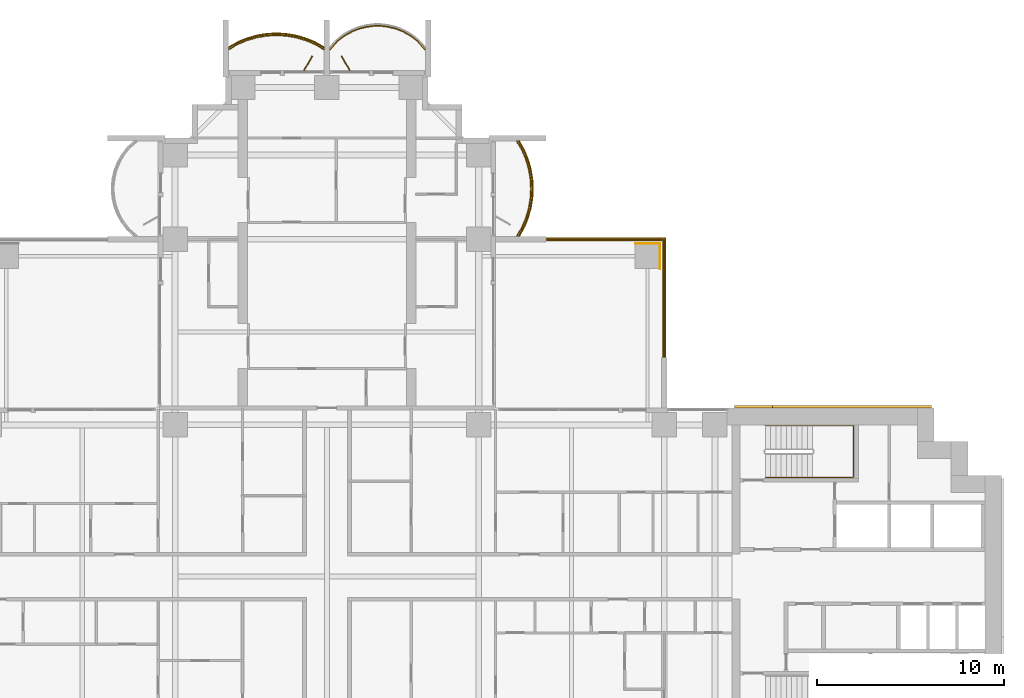
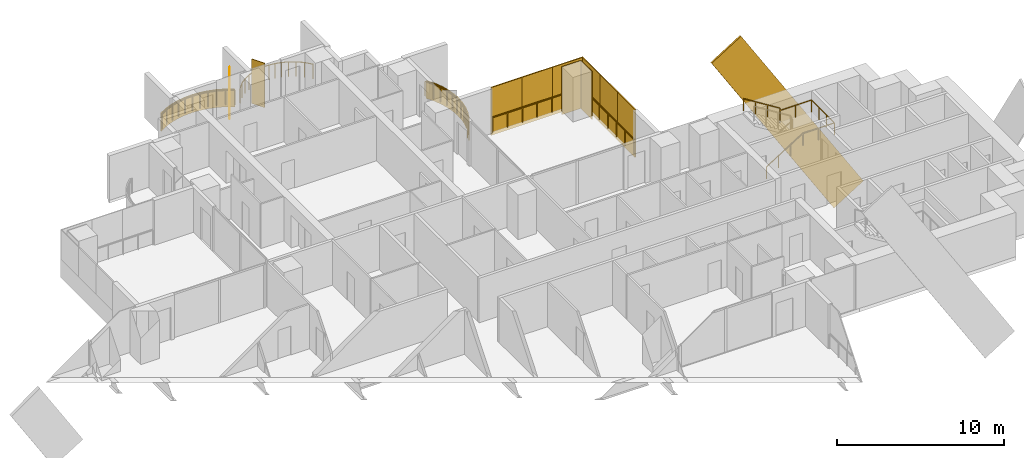
# One storey, part 22 of 23: 12 coverings, 5 railings, 2 shading devices.
"""IFC4 building model written with IfcOpenShell, lengths in metres."""

from ifc_helpers import new_model, si_unit, direction, frame, origin, origin_2d, place, context, subcontext, project, spatial, polyline, rectangle, outline, extrude, material, layer, layer_set, material_profile, profile_set, type_object, element, save


model = new_model("IFC4")

# Units and contexts
model_context = context("Model", 3, precision=1e-05, world=origin(), true_north=direction((0.0, 1.0)))
body_context = subcontext(model_context, "Body", "Model", "MODEL_VIEW")
ifc_project = project(units=[si_unit("LENGTHUNIT", "METRE"), si_unit("AREAUNIT", "SQUARE_METRE"), si_unit("VOLUMEUNIT", "CUBIC_METRE"), si_unit("PLANEANGLEUNIT", "RADIAN"), si_unit("MASSUNIT", "GRAM", prefix="KILO")], contexts=[model_context])

# Site, building, storey
site_placement = place(None, origin())
site = spatial("IfcSite", under=ifc_project, at=site_placement, CompositionType="ELEMENT")
building_placement = place(site_placement, origin())
building = spatial("IfcBuilding", under=site, at=building_placement, Name="Perihelion Cross Residences", CompositionType="ELEMENT")
storey_placement = place(building_placement, frame((0.0, 0.0, 61.0)))
storey = spatial("IfcBuildingStorey", under=building, at=storey_placement, Name="L12", CompositionType="ELEMENT", Elevation=61.0)

# Coverings
ifc_material_1 = material(Name="Bronze anodised aluminium", Category="aluminium")
ifc_layer_1 = layer(ifc_material_1, 0.070068359375)
ifc_layer_set_1 = layer_set([ifc_layer_1], Name="Balcony fascia 1300")
covering_type_1 = type_object("IfcCoveringType", Name="Balcony fascia 1300", PredefinedType="CLADDING", material=ifc_layer_set_1)
covering_1_placement = place(storey_placement, frame((0.0, 0.0, -0.199951171875)))
element("IfcCovering", 1, at=covering_1_placement, inside=storey, type_object=covering_type_1, Name="Fascia BF1 L12 north side east bay 2", PredefinedType="CLADDING", context=body_context, shape_type="SweptSolid", body=[
    extrude(outline(polyline([(10.54833984375, 18.629638671875), (10.7607421875, 19.147216796875), (10.906494140625, 19.664794921875), (10.991943359375, 20.182373046875), (11.02001953125, 20.699951171875), (10.991943359375, 21.217529296875), (10.906494140625, 21.735107421875), (10.7607421875, 22.2529296875), (10.54833984375, 22.7705078125), (10.2802734375, 23.25), (10.199951171875, 23.25), (10.4853515625, 22.739990234375), (10.694580078125, 22.22998046875), (10.838134765625, 21.719970703125), (10.92236328125, 21.2099609375), (10.949951171875, 20.699951171875), (10.92236328125, 20.18994140625), (10.838134765625, 19.679931640625), (10.694580078125, 19.169921875), (10.4853515625, 18.659912109375), (10.199951171875, 18.14990234375), (10.2802734375, 18.14990234375), (10.54833984375, 18.629638671875)])), origin(), (0.0, 0.0, 1.0), 1.300048828125),
])
covering_2_placement = place(storey_placement, frame((0.0, 0.0, -0.199951171875)))
element("IfcCovering", 2, at=covering_2_placement, inside=storey, type_object=covering_type_1, Name="Fascia BF1 L12 north tip north bay 2", PredefinedType="CLADDING", context=body_context, shape_type="SweptSolid", body=[
    extrude(outline(polyline([(-0.629638671875, 28.54833984375), (-1.147216796875, 28.7607421875), (-1.664794921875, 28.906494140625), (-2.182373046875, 28.991943359375), (-2.699951171875, 29.02001953125), (-3.217529296875, 28.991943359375), (-3.735107421875, 28.906494140625), (-4.2529296875, 28.7607421875), (-4.7705078125, 28.54833984375), (-5.25, 28.2802734375), (-5.25, 28.199951171875), (-4.739990234375, 28.4853515625), (-4.22998046875, 28.694580078125), (-3.719970703125, 28.838134765625), (-3.2099609375, 28.92236328125), (-2.699951171875, 28.949951171875), (-2.18994140625, 28.92236328125), (-1.679931640625, 28.838134765625), (-1.169921875, 28.694580078125), (-0.659912109375, 28.4853515625), (-0.14990234375, 28.199951171875), (-0.14990234375, 28.2802734375), (-0.629638671875, 28.54833984375)])), origin(), (0.0, 0.0, 1.0), 1.300048828125),
])

# Railings
ifc_material_2 = material(Name="Bronze anodised aluminium", Category="aluminium")
railing_type_1 = type_object("IfcRailingType", Name="Balcony guard 1100", PredefinedType="GUARDRAIL", material=ifc_material_2)
railing_1_placement = place(storey_placement, frame((10.139892578125, 18.175048828125, 0.0)))
element("IfcRailing", 3, at=railing_1_placement, inside=storey, type_object=railing_type_1, Name="Guard GU1 L12 north side east bay 2 balcony", PredefinedType="GUARDRAIL", context=body_context, shape_type="SweptSolid", body=[
    extrude(rectangle(XDim=0.048095703125, YDim=0.048095703125, at=origin_2d()), frame((0.0, 0.0, 1.076171875), z_axis=(0.507266632806, 0.861789164031, 0.0), x_axis=(-0.861789164031, 0.507266632806, 0.0)), (0.0, 0.0, 1.0), 0.562744140625),
    extrude(rectangle(XDim=0.048095703125, YDim=0.048095703125, at=origin_2d()), frame((0.285400390625, 0.48486328125, 1.076171875), z_axis=(0.379546636342, 0.925172605972, 0.0), x_axis=(-0.925172605972, 0.379546636342, 0.0)), (0.0, 0.0, 1.0), 0.55126953125),
    extrude(rectangle(XDim=0.048095703125, YDim=0.048095703125, at=origin_2d()), frame((0.49462890625, 0.994873046875, 1.076171875), z_axis=(0.271372618732, 0.962474364231, 0.0), x_axis=(-0.962474364231, 0.271372618732, 0.0)), (0.0, 0.0, 1.0), 0.52978515625),
    extrude(rectangle(XDim=0.048095703125, YDim=0.048095703125, at=origin_2d()), frame((0.638427734375, 1.5048828125, 1.076171875), z_axis=(0.162483799314, 0.986711211531, 0.0), x_axis=(-0.986711211531, 0.162483799314, 0.0)), (0.0, 0.0, 1.0), 0.516845703125),
    extrude(rectangle(XDim=0.048095703125, YDim=0.048095703125, at=origin_2d()), frame((0.722412109375, 2.014892578125, 1.076171875), z_axis=(0.05401390175, 0.998540183677, 0.0), x_axis=(-0.998540183677, 0.05401390175, 0.0)), (0.0, 0.0, 1.0), 0.5107421875),
    extrude(rectangle(XDim=0.048095703125, YDim=0.048095703125, at=origin_2d()), frame((0.75, 2.52490234375, 1.076171875), z_axis=(-0.05401390175, 0.998540183677, 0.0), x_axis=(-0.998540183677, -0.05401390175, 0.0)), (0.0, 0.0, 1.0), 0.5107421875),
    extrude(rectangle(XDim=0.048095703125, YDim=0.048095703125, at=origin_2d()), frame((0.722412109375, 3.034912109375, 1.076171875), z_axis=(-0.162483799314, 0.986711211531, 0.0), x_axis=(-0.986711211531, -0.162483799314, 0.0)), (0.0, 0.0, 1.0), 0.516845703125),
    extrude(rectangle(XDim=0.048095703125, YDim=0.048095703125, at=origin_2d()), frame((0.638427734375, 3.544921875, 1.076171875), z_axis=(-0.271372618732, 0.962474364231, 0.0), x_axis=(-0.962474364231, -0.271372618732, 0.0)), (0.0, 0.0, 1.0), 0.52978515625),
    extrude(rectangle(XDim=0.048095703125, YDim=0.048095703125, at=origin_2d()), frame((0.49462890625, 4.054931640625, 1.076171875), z_axis=(-0.379546636342, 0.925172605972, 0.0), x_axis=(-0.925172605972, -0.379546636342, 0.0)), (0.0, 0.0, 1.0), 0.55126953125),
    extrude(rectangle(XDim=0.048095703125, YDim=0.048095703125, at=origin_2d()), frame((0.285400390625, 4.56494140625, 1.076171875), z_axis=(-0.507076995033, 0.861900760591, 0.0), x_axis=(-0.861900760591, -0.507076995033, 0.0)), (0.0, 0.0, 1.0), 0.562744140625),
    extrude(rectangle(XDim=0.0419921875, YDim=0.0419921875, at=origin_2d()), origin(), (0.0, 0.0, 1.0), 1.052001953125),
    extrude(rectangle(XDim=0.0419921875, YDim=0.0419921875, at=origin_2d()), frame((0.285400390625, 0.48486328125, 0.0)), (0.0, 0.0, 1.0), 1.052001953125),
    extrude(rectangle(XDim=0.0419921875, YDim=0.0419921875, at=origin_2d()), frame((0.49462890625, 0.994873046875, 0.0)), (0.0, 0.0, 1.0), 1.052001953125),
    extrude(rectangle(XDim=0.0419921875, YDim=0.0419921875, at=origin_2d()), frame((0.638427734375, 1.5048828125, 0.0)), (0.0, 0.0, 1.0), 1.052001953125),
    extrude(rectangle(XDim=0.0419921875, YDim=0.0419921875, at=origin_2d()), frame((0.722412109375, 2.014892578125, 0.0)), (0.0, 0.0, 1.0), 1.052001953125),
    extrude(rectangle(XDim=0.0419921875, YDim=0.0419921875, at=origin_2d()), frame((0.75, 2.52490234375, 0.0)), (0.0, 0.0, 1.0), 1.052001953125),
    extrude(rectangle(XDim=0.0419921875, YDim=0.0419921875, at=origin_2d()), frame((0.722412109375, 3.034912109375, 0.0)), (0.0, 0.0, 1.0), 1.052001953125),
    extrude(rectangle(XDim=0.0419921875, YDim=0.0419921875, at=origin_2d()), frame((0.638427734375, 3.544921875, 0.0)), (0.0, 0.0, 1.0), 1.052001953125),
    extrude(rectangle(XDim=0.0419921875, YDim=0.0419921875, at=origin_2d()), frame((0.49462890625, 4.054931640625, 0.0)), (0.0, 0.0, 1.0), 1.052001953125),
    extrude(rectangle(XDim=0.0419921875, YDim=0.0419921875, at=origin_2d()), frame((0.285400390625, 4.56494140625, 0.0)), (0.0, 0.0, 1.0), 1.052001953125),
    extrude(rectangle(XDim=0.0419921875, YDim=0.0419921875, at=origin_2d()), frame((0.0, 5.050048828125, 0.0)), (0.0, 0.0, 1.0), 1.052001953125),
])
railing_2_placement = place(storey_placement, frame((5.22509765625, 28.139892578125, 0.0)))
element("IfcRailing", 4, at=railing_2_placement, inside=storey, type_object=railing_type_1, Name="Guard GU1 L12 north tip north bay 1 balcony", PredefinedType="GUARDRAIL", context=body_context, shape_type="SweptSolid", body=[
    extrude(rectangle(XDim=0.048095703125, YDim=0.048095703125, at=origin_2d()), frame((0.0, 0.0, 1.076171875), z_axis=(-0.656340655493, 0.754464673757, 0.0), x_axis=(-0.754464673757, -0.656340655493, 0.0)), (0.0, 0.0, 1.0), 0.559814453125),
    extrude(rectangle(XDim=0.048095703125, YDim=0.048095703125, at=origin_2d()), frame((-0.367431640625, 0.42236328125, 1.076171875), z_axis=(-0.792660660899, 0.60966308455, 0.0), x_axis=(-0.60966308455, -0.792660660899, 0.0)), (0.0, 0.0, 1.0), 0.494873046875),
    extrude(rectangle(XDim=0.048095703125, YDim=0.048095703125, at=origin_2d()), frame((-0.759765625, 0.72412109375, 1.076171875), z_axis=(-0.872950285698, 0.487809182674, 0.0), x_axis=(-0.487809182674, -0.872950285698, 0.0)), (0.0, 0.0, 1.0), 0.449462890625),
    extrude(rectangle(XDim=0.048095703125, YDim=0.048095703125, at=origin_2d()), frame((-1.152099609375, 0.943359375, 1.076171875), z_axis=(-0.930814842219, 0.365491079925, 0.0), x_axis=(-0.365491079925, -0.930814842219, 0.0)), (0.0, 0.0, 1.0), 0.42138671875),
    extrude(rectangle(XDim=0.048095703125, YDim=0.048095703125, at=origin_2d()), frame((-1.54443359375, 1.097412109375, 1.076171875), z_axis=(-0.969786252666, 0.243956193074, 0.0), x_axis=(-0.243956193074, -0.969786252666, 0.0)), (0.0, 0.0, 1.0), 0.404296875),
    extrude(rectangle(XDim=0.048095703125, YDim=0.048095703125, at=origin_2d()), frame((-1.9365234375, 1.196044921875, 1.076171875), z_axis=(-0.992569651699, 0.121677797999, 0.0), x_axis=(-0.121677797999, -0.992569651699, 0.0)), (0.0, 0.0, 1.0), 0.395263671875),
    extrude(rectangle(XDim=0.048095703125, YDim=0.048095703125, at=origin_2d()), frame((-2.328857421875, 1.244140625, 1.076171875), z_axis=(-1.0, 0.0, 0.0), x_axis=(0.0, -1.0, 0.0)), (0.0, 0.0, 1.0), 0.392333984375),
    extrude(rectangle(XDim=0.048095703125, YDim=0.048095703125, at=origin_2d()), frame((-2.72119140625, 1.244140625, 1.076171875), z_axis=(-0.992569651699, -0.121677797999, 0.0), x_axis=(0.121677797999, -0.992569651699, 0.0)), (0.0, 0.0, 1.0), 0.395263671875),
    extrude(rectangle(XDim=0.048095703125, YDim=0.048095703125, at=origin_2d()), frame((-3.113525390625, 1.196044921875, 1.076171875), z_axis=(-0.969822159145, -0.243813411509, 0.0), x_axis=(0.243813411509, -0.969822159145, 0.0)), (0.0, 0.0, 1.0), 0.404541015625),
    extrude(rectangle(XDim=0.048095703125, YDim=0.048095703125, at=origin_2d()), frame((-3.505859375, 1.097412109375, 1.076171875), z_axis=(-0.930814842219, -0.365491079925, 0.0), x_axis=(0.365491079925, -0.930814842219, 0.0)), (0.0, 0.0, 1.0), 0.42138671875),
    extrude(rectangle(XDim=0.048095703125, YDim=0.048095703125, at=origin_2d()), frame((-3.898193359375, 0.943359375, 1.076171875), z_axis=(-0.872950285698, -0.487809182674, 0.0), x_axis=(0.487809182674, -0.872950285698, 0.0)), (0.0, 0.0, 1.0), 0.449462890625),
    extrude(rectangle(XDim=0.048095703125, YDim=0.048095703125, at=origin_2d()), frame((-4.29052734375, 0.72412109375, 1.076171875), z_axis=(-0.792660660899, -0.60966308455, 0.0), x_axis=(0.60966308455, -0.792660660899, 0.0)), (0.0, 0.0, 1.0), 0.494873046875),
    extrude(rectangle(XDim=0.048095703125, YDim=0.048095703125, at=origin_2d()), frame((-4.682861328125, 0.42236328125, 1.076171875), z_axis=(-0.656092309534, -0.754680648599, 0.0), x_axis=(0.754680648599, -0.656092309534, 0.0)), (0.0, 0.0, 1.0), 0.5595703125),
    extrude(rectangle(XDim=0.0419921875, YDim=0.0419921875, at=origin_2d()), origin(), (0.0, 0.0, 1.0), 1.052001953125),
    extrude(rectangle(XDim=0.0419921875, YDim=0.0419921875, at=origin_2d()), frame((-0.367431640625, 0.42236328125, 0.0)), (0.0, 0.0, 1.0), 1.052001953125),
    extrude(rectangle(XDim=0.0419921875, YDim=0.0419921875, at=origin_2d()), frame((-0.759765625, 0.72412109375, 0.0)), (0.0, 0.0, 1.0), 1.052001953125),
    extrude(rectangle(XDim=0.0419921875, YDim=0.0419921875, at=origin_2d()), frame((-1.152099609375, 0.943359375, 0.0)), (0.0, 0.0, 1.0), 1.052001953125),
    extrude(rectangle(XDim=0.0419921875, YDim=0.0419921875, at=origin_2d()), frame((-1.54443359375, 1.097412109375, 0.0)), (0.0, 0.0, 1.0), 1.052001953125),
    extrude(rectangle(XDim=0.0419921875, YDim=0.0419921875, at=origin_2d()), frame((-1.9365234375, 1.196044921875, 0.0)), (0.0, 0.0, 1.0), 1.052001953125),
    extrude(rectangle(XDim=0.0419921875, YDim=0.0419921875, at=origin_2d()), frame((-2.328857421875, 1.244140625, 0.0)), (0.0, 0.0, 1.0), 1.052001953125),
    extrude(rectangle(XDim=0.0419921875, YDim=0.0419921875, at=origin_2d()), frame((-2.72119140625, 1.244140625, 0.0)), (0.0, 0.0, 1.0), 1.052001953125),
    extrude(rectangle(XDim=0.0419921875, YDim=0.0419921875, at=origin_2d()), frame((-3.113525390625, 1.196044921875, 0.0)), (0.0, 0.0, 1.0), 1.052001953125),
    extrude(rectangle(XDim=0.0419921875, YDim=0.0419921875, at=origin_2d()), frame((-3.505859375, 1.097412109375, 0.0)), (0.0, 0.0, 1.0), 1.052001953125),
    extrude(rectangle(XDim=0.0419921875, YDim=0.0419921875, at=origin_2d()), frame((-3.898193359375, 0.943359375, 0.0)), (0.0, 0.0, 1.0), 1.052001953125),
    extrude(rectangle(XDim=0.0419921875, YDim=0.0419921875, at=origin_2d()), frame((-4.29052734375, 0.72412109375, 0.0)), (0.0, 0.0, 1.0), 1.052001953125),
    extrude(rectangle(XDim=0.0419921875, YDim=0.0419921875, at=origin_2d()), frame((-4.682861328125, 0.42236328125, 0.0)), (0.0, 0.0, 1.0), 1.052001953125),
    extrude(rectangle(XDim=0.0419921875, YDim=0.0419921875, at=origin_2d()), frame((-5.050048828125, 0.0, 0.0)), (0.0, 0.0, 1.0), 1.052001953125),
])
railing_3_placement = place(storey_placement, frame((-0.175048828125, 28.139892578125, 0.0)))
element("IfcRailing", 5, at=railing_3_placement, inside=storey, type_object=railing_type_1, Name="Guard GU1 L12 north tip north bay 2 balcony", PredefinedType="GUARDRAIL", context=body_context, shape_type="SweptSolid", body=[
    extrude(rectangle(XDim=0.048095703125, YDim=0.048095703125, at=origin_2d()), frame((0.0, 0.0, 1.076171875), z_axis=(-0.861789164031, 0.507266632806, 0.0), x_axis=(-0.507266632806, -0.861789164031, 0.0)), (0.0, 0.0, 1.0), 0.562744140625),
    extrude(rectangle(XDim=0.048095703125, YDim=0.048095703125, at=origin_2d()), frame((-0.48486328125, 0.285400390625, 1.076171875), z_axis=(-0.925172605972, 0.379546636342, 0.0), x_axis=(-0.379546636342, -0.925172605972, 0.0)), (0.0, 0.0, 1.0), 0.55126953125),
    extrude(rectangle(XDim=0.048095703125, YDim=0.048095703125, at=origin_2d()), frame((-0.994873046875, 0.49462890625, 1.076171875), z_axis=(-0.962474364231, 0.271372618732, 0.0), x_axis=(-0.271372618732, -0.962474364231, 0.0)), (0.0, 0.0, 1.0), 0.52978515625),
    extrude(rectangle(XDim=0.048095703125, YDim=0.048095703125, at=origin_2d()), frame((-1.5048828125, 0.638427734375, 1.076171875), z_axis=(-0.986711211531, 0.162483799314, 0.0), x_axis=(-0.162483799314, -0.986711211531, 0.0)), (0.0, 0.0, 1.0), 0.516845703125),
    extrude(rectangle(XDim=0.048095703125, YDim=0.048095703125, at=origin_2d()), frame((-2.014892578125, 0.722412109375, 1.076171875), z_axis=(-0.998540183677, 0.05401390175, 0.0), x_axis=(-0.05401390175, -0.998540183677, 0.0)), (0.0, 0.0, 1.0), 0.5107421875),
    extrude(rectangle(XDim=0.048095703125, YDim=0.048095703125, at=origin_2d()), frame((-2.52490234375, 0.75, 1.076171875), z_axis=(-0.998540183677, -0.05401390175, 0.0), x_axis=(0.05401390175, -0.998540183677, 0.0)), (0.0, 0.0, 1.0), 0.5107421875),
    extrude(rectangle(XDim=0.048095703125, YDim=0.048095703125, at=origin_2d()), frame((-3.034912109375, 0.722412109375, 1.076171875), z_axis=(-0.986711211531, -0.162483799314, 0.0), x_axis=(0.162483799314, -0.986711211531, 0.0)), (0.0, 0.0, 1.0), 0.516845703125),
    extrude(rectangle(XDim=0.048095703125, YDim=0.048095703125, at=origin_2d()), frame((-3.544921875, 0.638427734375, 1.076171875), z_axis=(-0.962474364231, -0.271372618732, 0.0), x_axis=(0.271372618732, -0.962474364231, 0.0)), (0.0, 0.0, 1.0), 0.52978515625),
    extrude(rectangle(XDim=0.048095703125, YDim=0.048095703125, at=origin_2d()), frame((-4.054931640625, 0.49462890625, 1.076171875), z_axis=(-0.925172605972, -0.379546636342, 0.0), x_axis=(0.379546636342, -0.925172605972, 0.0)), (0.0, 0.0, 1.0), 0.55126953125),
    extrude(rectangle(XDim=0.048095703125, YDim=0.048095703125, at=origin_2d()), frame((-4.56494140625, 0.285400390625, 1.076171875), z_axis=(-0.861900760591, -0.507076995033, 0.0), x_axis=(0.507076995033, -0.861900760591, 0.0)), (0.0, 0.0, 1.0), 0.562744140625),
    extrude(rectangle(XDim=0.0419921875, YDim=0.0419921875, at=origin_2d()), origin(), (0.0, 0.0, 1.0), 1.052001953125),
    extrude(rectangle(XDim=0.0419921875, YDim=0.0419921875, at=origin_2d()), frame((-0.48486328125, 0.285400390625, 0.0)), (0.0, 0.0, 1.0), 1.052001953125),
    extrude(rectangle(XDim=0.0419921875, YDim=0.0419921875, at=origin_2d()), frame((-0.994873046875, 0.49462890625, 0.0)), (0.0, 0.0, 1.0), 1.052001953125),
    extrude(rectangle(XDim=0.0419921875, YDim=0.0419921875, at=origin_2d()), frame((-1.5048828125, 0.638427734375, 0.0)), (0.0, 0.0, 1.0), 1.052001953125),
    extrude(rectangle(XDim=0.0419921875, YDim=0.0419921875, at=origin_2d()), frame((-2.014892578125, 0.722412109375, 0.0)), (0.0, 0.0, 1.0), 1.052001953125),
    extrude(rectangle(XDim=0.0419921875, YDim=0.0419921875, at=origin_2d()), frame((-2.52490234375, 0.75, 0.0)), (0.0, 0.0, 1.0), 1.052001953125),
    extrude(rectangle(XDim=0.0419921875, YDim=0.0419921875, at=origin_2d()), frame((-3.034912109375, 0.722412109375, 0.0)), (0.0, 0.0, 1.0), 1.052001953125),
    extrude(rectangle(XDim=0.0419921875, YDim=0.0419921875, at=origin_2d()), frame((-3.544921875, 0.638427734375, 0.0)), (0.0, 0.0, 1.0), 1.052001953125),
    extrude(rectangle(XDim=0.0419921875, YDim=0.0419921875, at=origin_2d()), frame((-4.054931640625, 0.49462890625, 0.0)), (0.0, 0.0, 1.0), 1.052001953125),
    extrude(rectangle(XDim=0.0419921875, YDim=0.0419921875, at=origin_2d()), frame((-4.56494140625, 0.285400390625, 0.0)), (0.0, 0.0, 1.0), 1.052001953125),
    extrude(rectangle(XDim=0.0419921875, YDim=0.0419921875, at=origin_2d()), frame((-5.050048828125, 0.0, 0.0)), (0.0, 0.0, 1.0), 1.052001953125),
])
railing_4_placement = place(storey_placement, frame((11.739990234375, 17.93994140625, 0.0)))
element("IfcRailing", 6, at=railing_4_placement, inside=storey, type_object=railing_type_1, Name="Guard GU1 L12 pocket north-east 1", PredefinedType="GUARDRAIL", context=body_context, shape_type="SweptSolid", body=[
    extrude(rectangle(XDim=0.048095703125, YDim=0.048095703125, at=origin_2d()), frame((0.0, 0.0, 1.076171875), z_axis=(1.0, 0.0, 0.0), x_axis=(0.0, 1.0, 0.0)), (0.0, 0.0, 1.0), 6.199951171875),
    extrude(rectangle(XDim=0.048095703125, YDim=0.048095703125, at=origin_2d()), frame((6.199951171875, 0.0, 1.076171875), z_axis=(0.0, -1.0, 0.0), x_axis=(1.0, 0.0, 0.0)), (0.0, 0.0, 1.0), 6.199951171875),
    extrude(rectangle(XDim=0.0419921875, YDim=0.0419921875, at=origin_2d()), origin(), (0.0, 0.0, 1.0), 1.052001953125),
    extrude(rectangle(XDim=0.0419921875, YDim=0.0419921875, at=origin_2d()), frame((1.033203125, 0.0, 0.0)), (0.0, 0.0, 1.0), 1.052001953125),
    extrude(rectangle(XDim=0.0419921875, YDim=0.0419921875, at=origin_2d()), frame((2.066650390625, 0.0, 0.0)), (0.0, 0.0, 1.0), 1.052001953125),
    extrude(rectangle(XDim=0.0419921875, YDim=0.0419921875, at=origin_2d()), frame((3.10009765625, 0.0, 0.0)), (0.0, 0.0, 1.0), 1.052001953125),
    extrude(rectangle(XDim=0.0419921875, YDim=0.0419921875, at=origin_2d()), frame((4.13330078125, 0.0, 0.0)), (0.0, 0.0, 1.0), 1.052001953125),
    extrude(rectangle(XDim=0.0419921875, YDim=0.0419921875, at=origin_2d()), frame((5.16650390625, 0.0, 0.0)), (0.0, 0.0, 1.0), 1.052001953125),
    extrude(rectangle(XDim=0.0419921875, YDim=0.0419921875, at=origin_2d()), frame((6.199951171875, 0.0, 0.0)), (0.0, 0.0, 1.0), 1.052001953125),
    extrude(rectangle(XDim=0.0419921875, YDim=0.0419921875, at=origin_2d()), frame((6.199951171875, -1.033203125, 0.0)), (0.0, 0.0, 1.0), 1.052001953125),
    extrude(rectangle(XDim=0.0419921875, YDim=0.0419921875, at=origin_2d()), frame((6.199951171875, -2.066650390625, 0.0)), (0.0, 0.0, 1.0), 1.052001953125),
    extrude(rectangle(XDim=0.0419921875, YDim=0.0419921875, at=origin_2d()), frame((6.199951171875, -3.10009765625, 0.0)), (0.0, 0.0, 1.0), 1.052001953125),
    extrude(rectangle(XDim=0.0419921875, YDim=0.0419921875, at=origin_2d()), frame((6.199951171875, -4.13330078125, 0.0)), (0.0, 0.0, 1.0), 1.052001953125),
    extrude(rectangle(XDim=0.0419921875, YDim=0.0419921875, at=origin_2d()), frame((6.199951171875, -5.16650390625, 0.0)), (0.0, 0.0, 1.0), 1.052001953125),
    extrude(rectangle(XDim=0.0419921875, YDim=0.0419921875, at=origin_2d()), frame((6.199951171875, -6.199951171875, 0.0)), (0.0, 0.0, 1.0), 1.052001953125),
])

# Coverings
ifc_material_3 = material(Name="Bronze anodised aluminium", Category="aluminium")
ifc_material_profile = material_profile(ifc_material_3, rectangle(XDim=0.125, YDim=2.39990234375, at=origin_2d()), Name="Bronze cladding band 2400")
ifc_profile_set = profile_set([ifc_material_profile], Name="Bronze anodised aluminium")
covering_type_2 = type_object("IfcCoveringType", Name="Bronze cladding band 2400", PredefinedType="CLADDING", material=ifc_profile_set)
covering_3_placement = place(storey_placement, frame((31.232421875, 9.0625, -5.951904296875), z_axis=(-0.529924750763, 0.0, 0.848044667767), x_axis=(0.0, -1.0, 0.0)))
element("IfcCovering", 7, at=covering_3_placement, inside=storey, type_object=covering_type_2, Name="Core cladding band, east core", PredefinedType="CLADDING", context=body_context, shape_type="SweptSolid", body=[
    extrude(rectangle(XDim=0.125, YDim=2.39990234375, at=origin_2d()), origin(), (0.0, 0.0, 1.0), 15.9736328125),
])
ifc_material_4 = material(Name="Bronze anodised aluminium", Category="aluminium")
ifc_layer_2 = layer(ifc_material_4, 0.0400390625)
ifc_layer_set_2 = layer_set([ifc_layer_2], Name="Bronze column casing 40")
covering_type_3 = type_object("IfcCoveringType", Name="Bronze column casing 40", PredefinedType="CLADDING", material=ifc_layer_set_2)
covering_4_placement = place(storey_placement, frame((17.77001953125, 17.10009765625, -0.25), z_axis=(0.0, 0.0, 1.0), x_axis=(1.0, 0.0, 0.0)))
element("IfcCovering", 8, at=covering_4_placement, inside=storey, type_object=covering_type_3, Name="Cladding CC1 L12 casing east-west no. 4", PredefinedType="CLADDING", context=body_context, shape_type="SweptSolid", body=[
    extrude(rectangle(XDim=0.0400390625, YDim=1.3798828125, at=origin_2d()), origin(), (0.0, 0.0, 1.0), 3.5),
])
covering_5_placement = place(storey_placement, frame((17.10009765625, 17.77001953125, -0.25), z_axis=(0.0, 0.0, 1.0), x_axis=(1.0, 0.0, 0.0)))
element("IfcCovering", 9, at=covering_5_placement, inside=storey, type_object=covering_type_3, Name="Cladding CC1 L12 casing north-south no. 4", PredefinedType="CLADDING", context=body_context, shape_type="SweptSolid", body=[
    extrude(rectangle(XDim=1.300048828125, YDim=0.0400390625, at=origin_2d()), origin(), (0.0, 0.0, 1.0), 3.5),
])

# Shading devices
ifc_material_5 = material(Name="Bronze anodised aluminium", Category="aluminium")
ifc_layer_3 = layer(ifc_material_5, 0.050048828125)
ifc_layer_set_3 = layer_set([ifc_layer_3], Name="Bronze fin 900")
shading_device_type = type_object("IfcShadingDeviceType", Name="Bronze fin 900", PredefinedType="USERDEFINED", material=ifc_layer_set_3)
for number, where, z_axis, x_axis, name in (
    (10, (1.0, 27.3896484375, 0.0), (0.0, 0.0, 1.0), (-0.5, 0.866025403784, 0.0), "Fin FN1 L12 north tip north bay 1"),
    (11, (-1.0, 27.3896484375, 0.0), (0.0, 0.0, 1.0), (0.5, 0.866025403784, 0.0), "Fin FN1 L12 north tip north bay 2"),
):
    element("IfcShadingDevice", number, at=place(storey_placement, frame(where, z_axis=z_axis, x_axis=x_axis)), inside=storey, type_object=shading_device_type, Name=name, ObjectType="FIN", PredefinedType="USERDEFINED", context=body_context, shape_type="SweptSolid", body=[
        extrude(rectangle(XDim=0.89990234375, YDim=0.050048828125, at=origin_2d()), origin(), (0.0, 0.0, 1.0), 3.25),
    ])

# Coverings
ifc_material_6 = material(Name="Bronze anodised aluminium", Category="aluminium")
ifc_layer_4 = layer(ifc_material_6, 0.070068359375)
ifc_layer_set_4 = layer_set([ifc_layer_4], Name="Pocket fascia 1350")
covering_type_4 = type_object("IfcCoveringType", Name="Pocket fascia 1350", PredefinedType="CLADDING", material=ifc_layer_set_4)
covering_6_placement = place(storey_placement, frame((0.0, 0.0, -0.25)))
element("IfcCovering", 12, at=covering_6_placement, inside=storey, type_object=covering_type_4, Name="Fascia BF2 L12 pocket north-east 3", PredefinedType="CLADDING", context=body_context, shape_type="SweptSolid", body=[
    extrude(outline(polyline([(18.070068359375, 18.070068359375), (11.699951171875, 18.070068359375), (11.699951171875, 18.0), (18.0, 18.0), (18.0, 11.699951171875), (18.070068359375, 11.699951171875), (18.070068359375, 18.070068359375)])), origin(), (0.0, 0.0, 1.0), 1.35009765625),
])
ifc_material_7 = material(Name="Bronze perforated aluminium", Category="aluminium")
ifc_layer_5 = layer(ifc_material_7, 0.070068359375)
ifc_layer_set_5 = layer_set([ifc_layer_5], Name="Pocket solar screen, bronze perforated")
covering_type_5 = type_object("IfcCoveringType", Name="Pocket solar screen, bronze perforated", PredefinedType="CLADDING", material=ifc_layer_set_5)
covering_7_placement = place(storey_placement, frame((0.0, 0.0, 1.10009765625)))
element("IfcCovering", 13, at=covering_7_placement, inside=storey, type_object=covering_type_5, Name="Solar screen PS1 L12 pocket north-east no. 1", PredefinedType="CLADDING", context=body_context, shape_type="SweptSolid", body=[
    extrude(outline(polyline([(18.070068359375, 11.699951171875), (18.070068359375, 13.800048828125), (18.0, 13.800048828125), (18.0, 11.699951171875), (18.070068359375, 11.699951171875)])), origin(), (0.0, 0.0, 1.0), 2.14990234375),
])
covering_8_placement = place(storey_placement, frame((0.0, 0.0, 1.10009765625)))
element("IfcCovering", 14, at=covering_8_placement, inside=storey, type_object=covering_type_5, Name="Solar screen PS1 L12 pocket north-east no. 2", PredefinedType="CLADDING", context=body_context, shape_type="SweptSolid", body=[
    extrude(outline(polyline([(18.070068359375, 13.800048828125), (18.070068359375, 15.89990234375), (18.0, 15.89990234375), (18.0, 13.800048828125), (18.070068359375, 13.800048828125)])), origin(), (0.0, 0.0, 1.0), 2.14990234375),
])
covering_9_placement = place(storey_placement, frame((0.0, 0.0, 1.10009765625)))
element("IfcCovering", 15, at=covering_9_placement, inside=storey, type_object=covering_type_5, Name="Solar screen PS1 L12 pocket north-east no. 3", PredefinedType="CLADDING", context=body_context, shape_type="SweptSolid", body=[
    extrude(outline(polyline([(18.070068359375, 15.89990234375), (18.070068359375, 18.0), (18.0, 18.0), (18.0, 15.89990234375), (18.070068359375, 15.89990234375)])), origin(), (0.0, 0.0, 1.0), 2.14990234375),
])
covering_10_placement = place(storey_placement, frame((0.0, 0.0, 1.10009765625)))
element("IfcCovering", 16, at=covering_10_placement, inside=storey, type_object=covering_type_5, Name="Solar screen PS1 L12 pocket north-east no. 4", PredefinedType="CLADDING", context=body_context, shape_type="SweptSolid", body=[
    extrude(outline(polyline([(13.8232421875, 18.0), (13.8232421875, 18.070068359375), (11.699951171875, 18.070068359375), (11.699951171875, 18.0), (13.8232421875, 18.0)])), origin(), (0.0, 0.0, 1.0), 2.14990234375),
])
covering_11_placement = place(storey_placement, frame((0.0, 0.0, 1.10009765625)))
element("IfcCovering", 17, at=covering_11_placement, inside=storey, type_object=covering_type_5, Name="Solar screen PS1 L12 pocket north-east no. 5", PredefinedType="CLADDING", context=body_context, shape_type="SweptSolid", body=[
    extrude(outline(polyline([(15.94677734375, 18.0), (15.94677734375, 18.070068359375), (13.8232421875, 18.070068359375), (13.8232421875, 18.0), (15.94677734375, 18.0)])), origin(), (0.0, 0.0, 1.0), 2.14990234375),
])
covering_12_placement = place(storey_placement, frame((0.0, 0.0, 1.10009765625)))
element("IfcCovering", 18, at=covering_12_placement, inside=storey, type_object=covering_type_5, Name="Solar screen PS1 L12 pocket north-east no. 6", PredefinedType="CLADDING", context=body_context, shape_type="SweptSolid", body=[
    extrude(outline(polyline([(18.070068359375, 18.0), (18.070068359375, 18.070068359375), (15.94677734375, 18.070068359375), (15.94677734375, 18.0), (18.070068359375, 18.0)])), origin(), (0.0, 0.0, 1.0), 2.14990234375),
])

# Railing
ifc_material_8 = material(Name="Stainless steel", Category="steel")
railing_type_2 = type_object("IfcRailingType", Name="Stair handrail 900", PredefinedType="HANDRAIL", material=ifc_material_8)
railing_5_placement = place(storey_placement, frame((23.39990234375, 5.300048828125, 0.175048828125)))
element("IfcRailing", 19, at=railing_5_placement, inside=storey, type_object=railing_type_2, Name="L12 ST-E1 stair handrail 1", PredefinedType="HANDRAIL", context=body_context, shape_type="SweptSolid", body=[
    extrude(rectangle(XDim=0.048095703125, YDim=0.048095703125, at=origin_2d()), frame((0.0, 0.0, 0.8759765625), z_axis=(0.848007534815, 0.0, 0.529984170421), x_axis=(0.0, 1.0, 0.0)), (0.0, 0.0, 1.0), 2.9716796875),
    extrude(rectangle(XDim=0.048095703125, YDim=0.048095703125, at=origin_2d()), frame((2.52001953125, 0.0, 2.45068359375), z_axis=(1.0, 0.0, 0.0), x_axis=(0.0, 1.0, 0.0)), (0.0, 0.0, 1.0), 2.18017578125),
    extrude(rectangle(XDim=0.048095703125, YDim=0.048095703125, at=origin_2d()), frame((4.7001953125, 0.0, 2.45068359375), z_axis=(0.0, 1.0, 0.0), x_axis=(-1.0, 0.0, 0.0)), (0.0, 0.0, 1.0), 2.75),
    extrude(rectangle(XDim=0.048095703125, YDim=0.048095703125, at=origin_2d()), frame((4.7001953125, 2.75, 2.45068359375), z_axis=(-1.0, 0.0, 0.0), x_axis=(0.0, -1.0, 0.0)), (0.0, 0.0, 1.0), 2.18017578125),
    extrude(rectangle(XDim=0.048095703125, YDim=0.048095703125, at=origin_2d()), frame((2.52001953125, 2.75, 2.45068359375), z_axis=(0.0, 0.0, 1.0), x_axis=(1.0, 0.0, 0.0)), (0.0, 0.0, 1.0), 0.175048828125),
    extrude(rectangle(XDim=0.048095703125, YDim=0.048095703125, at=origin_2d()), frame((2.52001953125, 2.75, 2.6259765625), z_axis=(-0.848007534815, 0.0, 0.529984170421), x_axis=(0.0, -1.0, 0.0)), (0.0, 0.0, 1.0), 2.9716796875),
    extrude(rectangle(XDim=0.0419921875, YDim=0.0419921875, at=origin_2d()), origin(), (0.0, 0.0, 1.0), 0.851806640625),
    extrude(rectangle(XDim=0.0419921875, YDim=0.0419921875, at=origin_2d()), frame((0.840087890625, 0.0, 0.52490234375)), (0.0, 0.0, 1.0), 0.851806640625),
    extrude(rectangle(XDim=0.0419921875, YDim=0.0419921875, at=origin_2d()), frame((1.679931640625, 0.0, 1.050048828125)), (0.0, 0.0, 1.0), 0.851806640625),
    extrude(rectangle(XDim=0.0419921875, YDim=0.0419921875, at=origin_2d()), frame((2.52001953125, 0.0, 1.574951171875)), (0.0, 0.0, 1.0), 0.851806640625),
    extrude(rectangle(XDim=0.0419921875, YDim=0.0419921875, at=origin_2d()), frame((3.610107421875, 0.0, 1.574951171875)), (0.0, 0.0, 1.0), 0.851806640625),
    extrude(rectangle(XDim=0.0419921875, YDim=0.0419921875, at=origin_2d()), frame((4.7001953125, 0.0, 1.574951171875)), (0.0, 0.0, 1.0), 0.851806640625),
    extrude(rectangle(XDim=0.0419921875, YDim=0.0419921875, at=origin_2d()), frame((4.7001953125, 0.916748046875, 1.574951171875)), (0.0, 0.0, 1.0), 0.851806640625),
    extrude(rectangle(XDim=0.0419921875, YDim=0.0419921875, at=origin_2d()), frame((4.7001953125, 1.833251953125, 1.574951171875)), (0.0, 0.0, 1.0), 0.851806640625),
    extrude(rectangle(XDim=0.0419921875, YDim=0.0419921875, at=origin_2d()), frame((4.7001953125, 2.75, 1.574951171875)), (0.0, 0.0, 1.0), 0.851806640625),
    extrude(rectangle(XDim=0.0419921875, YDim=0.0419921875, at=origin_2d()), frame((3.610107421875, 2.75, 1.574951171875)), (0.0, 0.0, 1.0), 0.851806640625),
    extrude(rectangle(XDim=0.0419921875, YDim=0.0419921875, at=origin_2d()), frame((2.52001953125, 2.75, 1.574951171875)), (0.0, 0.0, 1.0), 0.851806640625),
    extrude(rectangle(XDim=0.0419921875, YDim=0.0419921875, at=origin_2d()), frame((2.52001953125, 2.75, 1.75)), (0.0, 0.0, 1.0), 0.851806640625),
    extrude(rectangle(XDim=0.0419921875, YDim=0.0419921875, at=origin_2d()), frame((1.679931640625, 2.75, 2.27490234375)), (0.0, 0.0, 1.0), 0.851806640625),
    extrude(rectangle(XDim=0.0419921875, YDim=0.0419921875, at=origin_2d()), frame((0.840087890625, 2.75, 2.800048828125)), (0.0, 0.0, 1.0), 0.851806640625),
    extrude(rectangle(XDim=0.0419921875, YDim=0.0419921875, at=origin_2d()), frame((0.0, 2.75, 3.324951171875)), (0.0, 0.0, 1.0), 0.851806640625),
])

save(model, "model.ifc")
